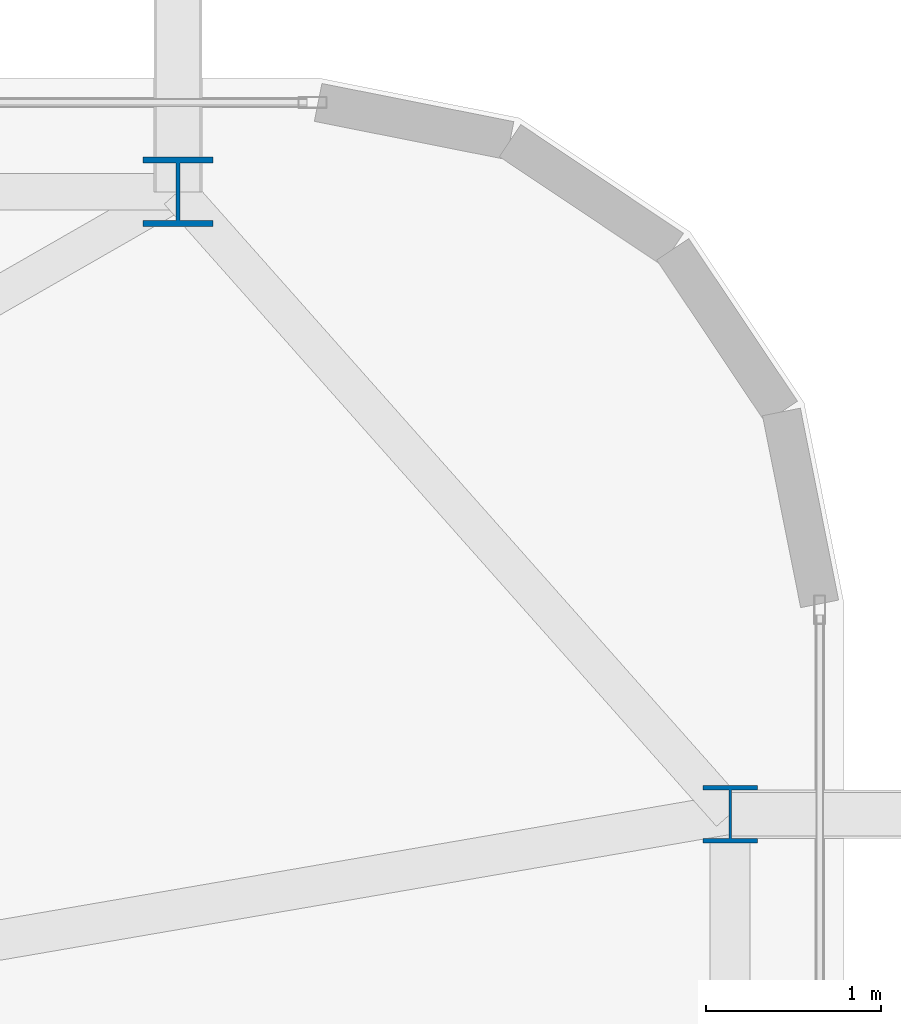
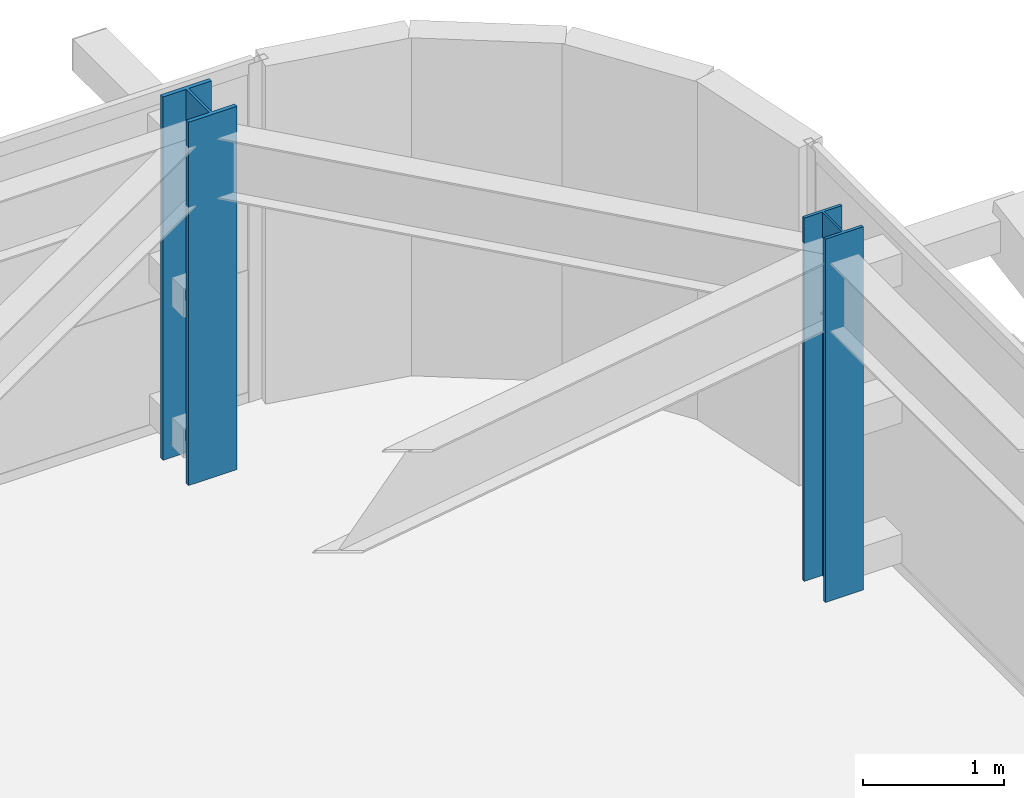
# One storey, part 4 of 44: 2 columns.
"""IFC4 building model written with IfcOpenShell, lengths in metres."""

from ifc_helpers import new_model, si_unit, direction, frame, origin, origin_2d, place, context, subcontext, project, spatial, i_section, extrude, source, transform, mapped, material, material_profile, profile_set, type_object, element, save


model = new_model("IFC4")

# Units and contexts
model_context = context("Model", 3, precision=1e-05, world=origin(), true_north=direction((0.0, 1.0)))
body_context = subcontext(model_context, "Body", "Model", "MODEL_VIEW")
ifc_project = project(units=[si_unit("LENGTHUNIT", "METRE"), si_unit("AREAUNIT", "SQUARE_METRE"), si_unit("VOLUMEUNIT", "CUBIC_METRE"), si_unit("PLANEANGLEUNIT", "RADIAN"), si_unit("MASSUNIT", "GRAM", prefix="KILO")], contexts=[model_context])

# Site, building, storey
site_placement = place(None, origin())
site = spatial("IfcSite", under=ifc_project, at=site_placement, CompositionType="ELEMENT")
building_placement = place(site_placement, origin())
building = spatial("IfcBuilding", under=site, at=building_placement, Name="Taldren Reach Tower", CompositionType="ELEMENT")
storey_placement = place(building_placement, frame((0.0, 0.0, 38.85009765625)))
storey = spatial("IfcBuildingStorey", under=building, at=storey_placement, Name="L11", CompositionType="ELEMENT", Elevation=38.85009765625)

# Columns
ifc_material = material(Name="Steel Gr 350 (350PLUS)", Category="steel")
ifc_material_profile_1 = material_profile(ifc_material, i_section(OverallWidth=0.39990234375, OverallDepth=0.39599609375, WebThickness=0.02197265625, FlangeThickness=0.033935546875, at=origin_2d()), Name="400WC270")
ifc_profile_set_1 = profile_set([ifc_material_profile_1], Name="Steel Gr 350 (350PLUS)")
column_type_1 = type_object("IfcColumnType", Name="COL-WC400", PredefinedType="COLUMN", material=ifc_profile_set_1)
shared_shape_1 = source(origin(), body_context, "Body", "SweptSolid", [
    extrude(i_section(OverallWidth=0.39990234375, OverallDepth=0.39599609375, WebThickness=0.02197265625, FlangeThickness=0.033935546875, at=origin_2d()), origin(), (0.0, 0.0, 1.0), 3.14990234375),
])
column_1_placement = place(storey_placement, frame((61.199951171875, 37.85009765625, 0.0), z_axis=(0.0, 0.0, 1.0), x_axis=(1.0, 0.0, 0.0)))
element("IfcColumn", 1, at=column_1_placement, inside=storey, type_object=column_type_1, Name="Block B1 perimeter column N6 L11", PredefinedType="COLUMN", context=body_context, shape_type="MappedRepresentation", body=[
    mapped(shared_shape_1, transform((0.0, 0.0, 0.0), scale=1.0)),
])
ifc_material_profile_2 = material_profile(ifc_material, i_section(OverallWidth=0.31103515625, OverallDepth=0.326904296875, WebThickness=0.015625, FlangeThickness=0.02490234375, at=origin_2d()), Name="310UC158")
ifc_profile_set_2 = profile_set([ifc_material_profile_2], Name="Steel Gr 350 (350PLUS)")
column_type_2 = type_object("IfcColumnType", Name="COL-UC310A", PredefinedType="COLUMN", material=ifc_profile_set_2)
shared_shape_2 = source(origin(), body_context, "Body", "SweptSolid", [
    extrude(i_section(OverallWidth=0.31103515625, OverallDepth=0.326904296875, WebThickness=0.015625, FlangeThickness=0.02490234375, at=origin_2d()), origin(), (0.0, 0.0, 1.0), 3.14990234375),
])
column_2_placement = place(storey_placement, frame((64.35009765625, 34.300048828125, 0.0), z_axis=(0.0, 0.0, 1.0), x_axis=(1.0, 0.0, 0.0)))
element("IfcColumn", 2, at=column_2_placement, inside=storey, type_object=column_type_2, Name="Block B1 perimeter column E3 L11", PredefinedType="COLUMN", context=body_context, shape_type="MappedRepresentation", body=[
    mapped(shared_shape_2, transform((0.0, 0.0, 0.0), scale=1.0)),
])

save(model, "model.ifc")
